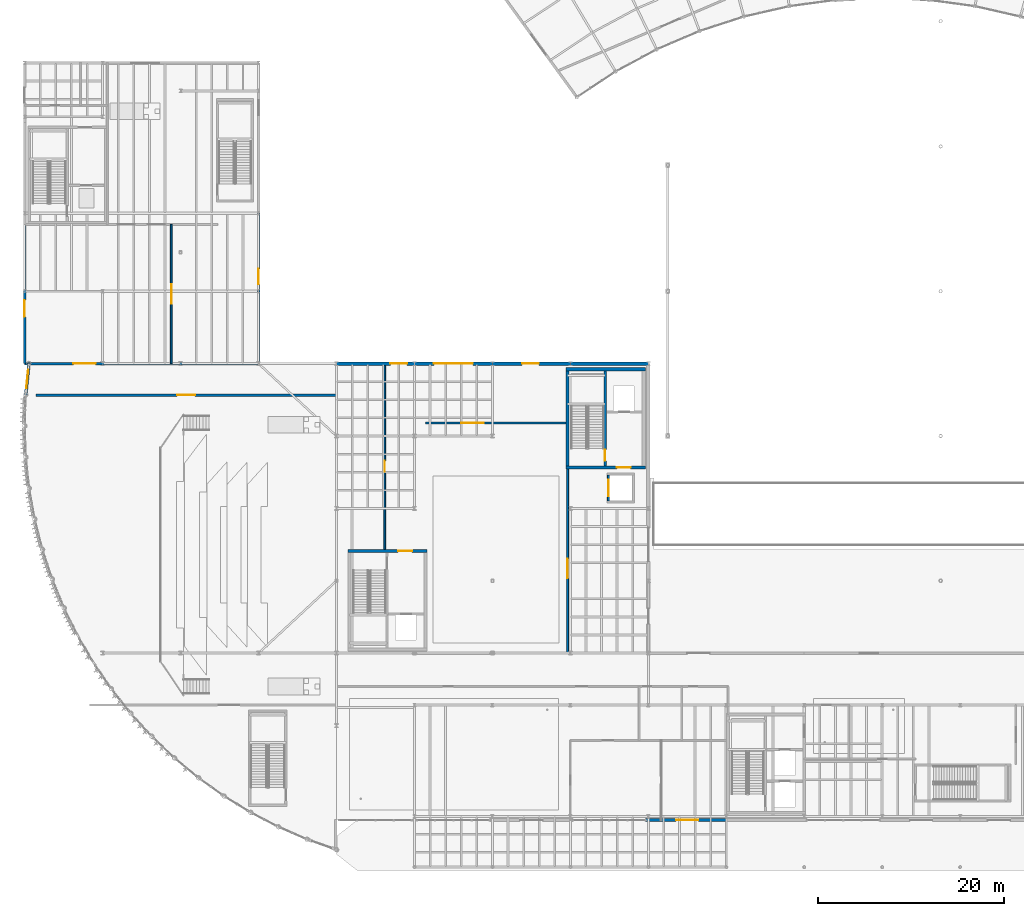
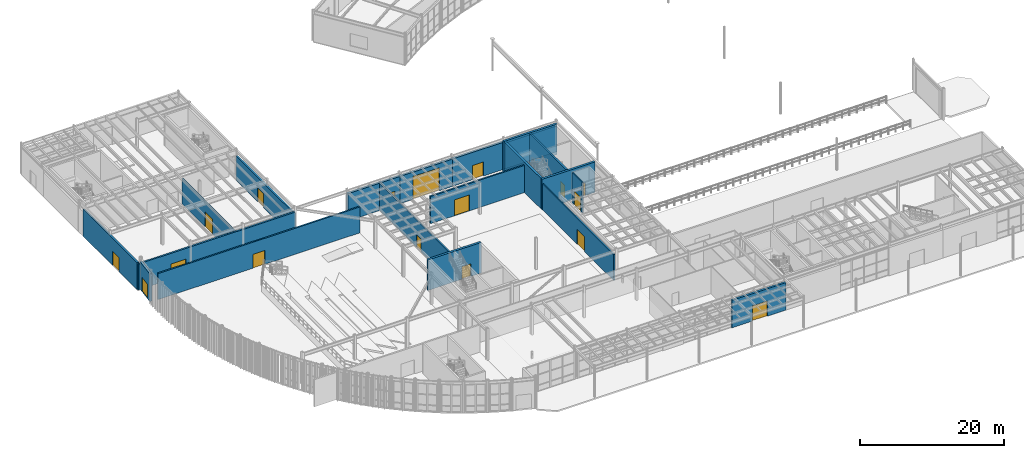
# One storey, part 64 of 87: 20 walls, 17 doors, 17 openings.
"""IFC4 building model written with IfcOpenShell, lengths in metres."""

from ifc_helpers import new_model, si_unit, direction, frame, frame_2d, origin, place, context, subcontext, project, spatial, rectangle, extrude, material, layer, layer_set, type_object, element, fill, save


model = new_model("IFC4")

# Units and contexts
model_context = context("Model", 3, precision=1e-05, world=origin(), true_north=direction((0.0, 1.0)))
body_context = subcontext(model_context, "Body", "Model", "MODEL_VIEW")
ifc_project = project(units=[si_unit("LENGTHUNIT", "METRE"), si_unit("AREAUNIT", "SQUARE_METRE"), si_unit("VOLUMEUNIT", "CUBIC_METRE"), si_unit("PLANEANGLEUNIT", "RADIAN"), si_unit("MASSUNIT", "GRAM", prefix="KILO")], contexts=[model_context])

# Site, building, storey
site_placement = place(None, origin())
site = spatial("IfcSite", under=ifc_project, at=site_placement, CompositionType="ELEMENT")
building_placement = place(site_placement, origin())
building = spatial("IfcBuilding", under=site, at=building_placement, Name="Selat Folded Stagehouse", CompositionType="ELEMENT")
storey_placement = place(building_placement, origin())
storey = spatial("IfcBuildingStorey", under=building, at=storey_placement, Name="L00", CompositionType="ELEMENT", Elevation=0.0)

# Wall, opening, door
ifc_material_1 = material(Name="Double-stud acoustic gypsum and mineral wool", Category="gypsum")
ifc_layer_1 = layer(ifc_material_1, 0.239990234375)
ifc_layer_set_1 = layer_set([ifc_layer_1], Name="Double-stud acoustic gypsum and mineral wool")
wall_type_1 = type_object("IfcWallType", Name="WAL-ACOU-240", PredefinedType="PARTITIONING", material=ifc_layer_set_1)
wall_1_placement = place(storey_placement, frame((1.199951171875, 51.199951171875, 0.0), z_axis=(0.0, 0.0, 1.0), x_axis=(1.0, 0.0, 0.0)))
wall_1 = element("IfcWall", 1, at=wall_1_placement, inside=storey, type_object=wall_type_1, Name="L00 interior partition wall 014", PredefinedType="PARTITIONING", context=body_context, shape_type="SweptSolid", body=[
    extrude(rectangle(XDim=32.400146484375, YDim=0.239990234375, at=frame_2d((16.2001953125, 0.0))), origin(), (0.0, 0.0, 1.0), 4.412109375),
])
opening_1_placement = place(wall_1_placement, frame((15.22509765625, 0.0, 0.0)))
opening_1 = element("IfcOpeningElement", 2, at=opening_1_placement, cuts=wall_1, Name="Opening AD-02", PredefinedType="OPENING", context=body_context, shape_type="SweptSolid", body=[
    extrude(rectangle(XDim=1.949951171875, YDim=2.35009765625, at=frame_2d((0.97509765625, 1.175048828125))), frame((0.0, 0.1298828125, 0.0), z_axis=(0.0, -1.0, 0.0), x_axis=(1.0, 0.0, 0.0)), (0.0, 0.0, 1.0), 0.260009765625),
])
ifc_material_2 = material(Name="Circle auditorium acoustic double door", Category="wood")
door_type_1 = type_object("IfcDoorType", Name="DOR-AUD-1950", OperationType="NOTDEFINED", PredefinedType="DOOR", material=ifc_material_2)
door_1_placement = place(opening_1_placement, origin())
door_1 = element("IfcDoor", 3, at=door_1_placement, inside=storey, type_object=door_type_1, Name="L00 interior door IWAL-L00-014-1", OperationType="SINGLE_SWING_RIGHT", OverallHeight=2.35009765625, OverallWidth=1.949951171875, PredefinedType="DOOR", context=body_context, shape_type="SweptSolid", body=[
    extrude(rectangle(XDim=1.949951171875, YDim=2.35009765625, at=frame_2d((0.97509765625, 1.175048828125))), frame((0.0, 0.02490234375, 0.0), z_axis=(0.0, -1.0, 0.0), x_axis=(1.0, 0.0, 0.0)), (0.0, 0.0, 1.0), 0.050048828125),
])
fill(opening_1, door_1)

wall_2_placement = place(storey_placement, frame((43.199951171875, 48.199951171875, 0.0), z_axis=(0.0, 0.0, 1.0), x_axis=(1.0, 0.0, 0.0)))
wall_2 = element("IfcWall", 4, at=wall_2_placement, inside=storey, type_object=wall_type_1, Name="L00 interior partition wall 015", PredefinedType="PARTITIONING", context=body_context, shape_type="SweptSolid", body=[
    extrude(rectangle(XDim=15.300048828125, YDim=0.239990234375, at=frame_2d((7.64990234375, 0.0))), origin(), (0.0, 0.0, 1.0), 4.63232421875),
])
opening_2_placement = place(wall_2_placement, frame((3.8701171875, 0.0, 0.0)))
opening_2 = element("IfcOpeningElement", 5, at=opening_2_placement, cuts=wall_2, Name="Opening SD-01", PredefinedType="OPENING", context=body_context, shape_type="SweptSolid", body=[
    extrude(rectangle(XDim=2.39990234375, YDim=2.699951171875, at=frame_2d((1.199951171875, 1.35009765625))), frame((0.0, 0.1298828125, 0.0), z_axis=(0.0, -1.0, 0.0), x_axis=(1.0, 0.0, 0.0)), (0.0, 0.0, 1.0), 0.260009765625),
])
ifc_material_3 = material(Name="Stage crossover heavy acoustic double door", Category="wood")
door_type_2 = type_object("IfcDoorType", Name="DOR-STG-2400", OperationType="NOTDEFINED", PredefinedType="DOOR", material=ifc_material_3)
door_2_placement = place(opening_2_placement, origin())
door_2 = element("IfcDoor", 6, at=door_2_placement, inside=storey, type_object=door_type_2, Name="L00 interior door IWAL-L00-015-1", OperationType="SINGLE_SWING_LEFT", OverallHeight=2.699951171875, OverallWidth=2.39990234375, PredefinedType="DOOR", context=body_context, shape_type="SweptSolid", body=[
    extrude(rectangle(XDim=2.39990234375, YDim=2.699951171875, at=frame_2d((1.199951171875, 1.35009765625))), frame((0.0, 0.02490234375, 0.0), z_axis=(0.0, -1.0, 0.0), x_axis=(1.0, 0.0, 0.0)), (0.0, 0.0, 1.0), 0.050048828125),
])
fill(opening_2, door_2)

ifc_material_4 = material(Name="Concrete C40/50", Category="concrete")
ifc_layer_2 = layer(ifc_material_4, 0.179931640625)
ifc_layer_set_2 = layer_set([ifc_layer_2], Name="Concrete C40/50")
wall_type_2 = type_object("IfcWallType", Name="WAL-COMP-180", PredefinedType="STANDARD", material=ifc_layer_set_2)
wall_3_placement = place(storey_placement, frame((15.800048828125, 54.60009765625, 0.0), z_axis=(0.0, 0.0, 1.0), x_axis=(0.0, 1.0, 0.0)))
wall_3 = element("IfcWall", 7, at=wall_3_placement, inside=storey, type_object=wall_type_2, Name="L00 interior partition wall 033", PredefinedType="STANDARD", context=body_context, shape_type="SweptSolid", body=[
    extrude(rectangle(XDim=15.0, YDim=0.179931640625, at=frame_2d((7.5, 0.0))), origin(), (0.0, 0.0, 1.0), 4.311279296875),
])
opening_3_placement = place(wall_3_placement, frame((6.449951171875, 0.0, 0.0)))
opening_3 = element("IfcOpeningElement", 8, at=opening_3_placement, cuts=wall_3, Name="Opening WD-01", PredefinedType="OPENING", context=body_context, shape_type="SweptSolid", body=[
    extrude(rectangle(XDim=2.10009765625, YDim=2.5, at=frame_2d((1.050048828125, 1.25))), frame((0.0, 0.099853515625, 0.0), z_axis=(0.0, -1.0, 0.0), x_axis=(1.0, 0.0, 0.0)), (0.0, 0.0, 1.0), 0.199951171875),
])
ifc_material_5 = material(Name="Scenery workshop double leaf door", Category="wood")
door_type_3 = type_object("IfcDoorType", Name="DOR-WK-2100", OperationType="NOTDEFINED", PredefinedType="DOOR", material=ifc_material_5)
door_3_placement = place(opening_3_placement, origin())
door_3 = element("IfcDoor", 9, at=door_3_placement, inside=storey, type_object=door_type_3, Name="L00 interior door IWAL-L00-033-1", OperationType="SINGLE_SWING_RIGHT", OverallHeight=2.5, OverallWidth=2.10009765625, PredefinedType="DOOR", context=body_context, shape_type="SweptSolid", body=[
    extrude(rectangle(XDim=2.10009765625, YDim=2.5, at=frame_2d((1.050048828125, 1.25))), frame((0.0, 0.02490234375, 0.0), z_axis=(0.0, -1.0, 0.0), x_axis=(1.0, 0.0, 0.0)), (0.0, 0.0, 1.0), 0.050048828125),
])
fill(opening_3, door_3)

ifc_layer_3 = layer(ifc_material_4, 0.215087890625)
ifc_layer_set_3 = layer_set([ifc_layer_3], Name="Concrete C40/50")
wall_type_3 = type_object("IfcWallType", Name="WAL-COMP-215", PredefinedType="STANDARD", material=ifc_layer_set_3)
wall_4_placement = place(storey_placement, frame((62.89990234375, 39.8076171875, 0.0), z_axis=(0.0, 0.0, 1.0), x_axis=(0.0, 1.0, 0.0)))
wall_4 = element("IfcWall", 10, at=wall_4_placement, inside=storey, type_object=wall_type_3, Name="L00 GL-01 west front wall", PredefinedType="STANDARD", context=body_context, shape_type="SweptSolid", body=[
    extrude(rectangle(XDim=2.784912109375, YDim=0.215087890625, at=frame_2d((1.392578125, 0.0))), origin(), (0.0, 0.0, 1.0), 5.172119140625),
])
opening_4_placement = place(wall_4_placement, frame((0.492431640625, 0.0, 0.0)))
opening_4 = element("IfcOpeningElement", 11, at=opening_4_placement, cuts=wall_4, Name="Opening LD-02", PredefinedType="OPENING", context=body_context, shape_type="SweptSolid", body=[
    extrude(rectangle(XDim=1.800048828125, YDim=2.39990234375, at=frame_2d((0.89990234375, 1.199951171875))), frame((0.0, 0.117431640625, 0.0), z_axis=(0.0, -1.0, 0.0), x_axis=(1.0, 0.0, 0.0)), (0.0, 0.0, 1.0), 0.235107421875),
])
ifc_material_6 = material(Name="Goods lift heavy sliding landing door", Category="wood")
door_type_4 = type_object("IfcDoorType", Name="DOR-LFT-1800", OperationType="NOTDEFINED", PredefinedType="DOOR", material=ifc_material_6)
door_4_placement = place(opening_4_placement, origin())
door_4 = element("IfcDoor", 12, at=door_4_placement, inside=storey, type_object=door_type_4, Name="L00 GL-01 lift sliding landing door", OperationType="SLIDING_TO_RIGHT", OverallHeight=2.39990234375, OverallWidth=1.800048828125, PredefinedType="DOOR", context=body_context, shape_type="SweptSolid", body=[
    extrude(rectangle(XDim=1.800048828125, YDim=2.39990234375, at=frame_2d((0.89990234375, 1.199951171875))), frame((0.0, 0.02490234375, 0.0), z_axis=(0.0, -1.0, 0.0), x_axis=(1.0, 0.0, 0.0)), (0.0, 0.0, 1.0), 0.050048828125),
])
fill(opening_4, door_4)

wall_5_placement = place(storey_placement, frame((38.800048828125, 34.39990234375, 0.0), z_axis=(0.0, 0.0, 1.0), x_axis=(0.0, 1.0, 0.0)))
wall_5 = element("IfcWall", 13, at=wall_5_placement, inside=storey, type_object=wall_type_3, Name="L00 interior partition wall 016", PredefinedType="STANDARD", context=body_context, shape_type="SweptSolid", body=[
    extrude(rectangle(XDim=20.2001953125, YDim=0.215087890625, at=frame_2d((10.10009765625, 0.0))), origin(), (0.0, 0.0, 1.0), 4.638916015625),
])
opening_5_placement = place(wall_5_placement, frame((8.550048828125, 0.0, 0.0)))
opening_5 = element("IfcOpeningElement", 14, at=opening_5_placement, cuts=wall_5, Name="Opening FD-120", PredefinedType="OPENING", context=body_context, shape_type="SweptSolid", body=[
    extrude(rectangle(XDim=1.199951171875, YDim=2.14990234375, at=frame_2d((0.60009765625, 1.074951171875))), frame((0.0, 0.117431640625, 0.0), z_axis=(0.0, -1.0, 0.0), x_axis=(1.0, 0.0, 0.0)), (0.0, 0.0, 1.0), 0.235107421875),
])
ifc_material_7 = material(Name="Fire-rated steel acoustic door", Category="steel")
door_type_5 = type_object("IfcDoorType", Name="DOR-FIRE-120", OperationType="NOTDEFINED", PredefinedType="DOOR", material=ifc_material_7)
door_5_placement = place(opening_5_placement, origin())
door_5 = element("IfcDoor", 15, at=door_5_placement, inside=storey, type_object=door_type_5, Name="L00 interior door IWAL-L00-016-1", OperationType="SINGLE_SWING_RIGHT", OverallHeight=2.14990234375, OverallWidth=1.199951171875, PredefinedType="DOOR", context=body_context, shape_type="SweptSolid", body=[
    extrude(rectangle(XDim=1.199951171875, YDim=2.14990234375, at=frame_2d((0.60009765625, 1.074951171875))), frame((0.0, 0.02490234375, 0.0), z_axis=(0.0, -1.0, 0.0), x_axis=(1.0, 0.0, 0.0)), (0.0, 0.0, 1.0), 0.050048828125),
])
fill(opening_5, door_5)

wall_6_placement = place(storey_placement, frame((58.5, 23.39990234375, 0.0), z_axis=(0.0, 0.0, 1.0), x_axis=(0.0, 1.0, 0.0)))
wall_6 = element("IfcWall", 16, at=wall_6_placement, inside=storey, type_object=wall_type_3, Name="L00 interior partition wall 017", PredefinedType="STANDARD", context=body_context, shape_type="SweptSolid", body=[
    extrude(rectangle(XDim=20.0, YDim=0.215087890625, at=frame_2d((10.0, 0.0))), origin(), (0.0, 0.0, 1.0), 4.402099609375),
])
opening_6_placement = place(wall_6_placement, frame((8.054931640625, 0.0, 0.0)))
opening_6 = element("IfcOpeningElement", 17, at=opening_6_placement, cuts=wall_6, Name="Opening WD-01", PredefinedType="OPENING", context=body_context, shape_type="SweptSolid", body=[
    extrude(rectangle(XDim=2.10009765625, YDim=2.5, at=frame_2d((1.050048828125, 1.25))), frame((0.0, 0.117431640625, 0.0), z_axis=(0.0, -1.0, 0.0), x_axis=(1.0, 0.0, 0.0)), (0.0, 0.0, 1.0), 0.235107421875),
])
door_6_placement = place(opening_6_placement, origin())
door_6 = element("IfcDoor", 18, at=door_6_placement, inside=storey, type_object=door_type_3, Name="L00 interior door IWAL-L00-017-1", OperationType="SINGLE_SWING_LEFT", OverallHeight=2.5, OverallWidth=2.10009765625, PredefinedType="DOOR", context=body_context, shape_type="SweptSolid", body=[
    extrude(rectangle(XDim=2.10009765625, YDim=2.5, at=frame_2d((1.050048828125, 1.25))), frame((0.0, 0.02490234375, 0.0), z_axis=(0.0, -1.0, 0.0), x_axis=(1.0, 0.0, 0.0)), (0.0, 0.0, 1.0), 0.050048828125),
])
fill(opening_6, door_6)

ifc_material_8 = material(Name="Concrete C50/60", Category="concrete")
ifc_layer_4 = layer(ifc_material_8, 0.25)
ifc_layer_set_4 = layer_set([ifc_layer_4], Name="Concrete C50/60")
wall_type_4 = type_object("IfcWallType", Name="WAL-CORE-250", PredefinedType="SHEAR", material=ifc_layer_set_4)
wall_7_placement = place(storey_placement, frame((62.550048828125, 53.824951171875, 0.0), z_axis=(0.0, 0.0, 1.0), x_axis=(0.0, -1.0, 0.0)))
wall_7 = element("IfcWall", 19, at=wall_7_placement, inside=storey, type_object=wall_type_4, Name="L00 CR-2 internal core divider wall", PredefinedType="SHEAR", context=body_context, shape_type="SweptSolid", body=[
    extrude(rectangle(XDim=10.25, YDim=0.25, at=frame_2d((5.125, 0.0))), origin(), (0.0, 0.0, 1.0), 5.179931640625),
])
opening_7_placement = place(wall_7_placement, frame((8.5, 0.0, 0.0)))
opening_7 = element("IfcOpeningElement", 20, at=opening_7_placement, cuts=wall_7, Name="Opening FD-120", PredefinedType="OPENING", context=body_context, shape_type="SweptSolid", body=[
    extrude(rectangle(XDim=1.199951171875, YDim=2.14990234375, at=frame_2d((0.60009765625, 1.074951171875))), frame((0.0, 0.135009765625, 0.0), z_axis=(0.0, -1.0, 0.0), x_axis=(1.0, 0.0, 0.0)), (0.0, 0.0, 1.0), 0.27001953125),
])
door_7_placement = place(opening_7_placement, origin())
door_7 = element("IfcDoor", 21, at=door_7_placement, inside=storey, type_object=door_type_5, Name="L00 CR-2 protected stair fire door", OperationType="SINGLE_SWING_LEFT", OverallHeight=2.14990234375, OverallWidth=1.199951171875, PredefinedType="DOOR", context=body_context, shape_type="SweptSolid", body=[
    extrude(rectangle(XDim=1.199951171875, YDim=2.14990234375, at=frame_2d((0.60009765625, 1.074951171875))), frame((0.0, 0.02490234375, 0.0), z_axis=(0.0, -1.0, 0.0), x_axis=(1.0, 0.0, 0.0)), (0.0, 0.0, 1.0), 0.050048828125),
])
fill(opening_7, door_7)

ifc_material_9 = material(Name="Precast concrete C40/50", Category="concrete")
ifc_layer_5 = layer(ifc_material_9, 0.27490234375)
ifc_layer_set_5 = layer_set([ifc_layer_5], Name="Precast concrete C40/50")
wall_type_5 = type_object("IfcWallType", Name="WAL-EXT-275", PredefinedType="STANDARD", material=ifc_layer_set_5)
wall_8_placement = place(storey_placement, frame((25.199951171875, 54.60009765625, 0.0), z_axis=(0.0, 0.0, 1.0), x_axis=(-1.0, 0.0, 0.0)))
wall_8 = element("IfcWall", 22, at=wall_8_placement, inside=storey, type_object=wall_type_5, Name="L00 exterior facade wall EW-L00-V4S", PredefinedType="STANDARD", context=body_context, shape_type="SweptSolid", body=[
    extrude(rectangle(XDim=25.199951171875, YDim=0.27490234375, at=frame_2d((12.60009765625, 0.0))), origin(), (0.0, 0.0, 1.0), 4.412109375),
])
opening_8_placement = place(wall_8_placement, frame((17.550048828125, 0.0, 0.0)))
opening_8 = element("IfcOpeningElement", 23, at=opening_8_placement, cuts=wall_8, Name="Opening ED-01", PredefinedType="OPENING", context=body_context, shape_type="SweptSolid", body=[
    extrude(rectangle(XDim=2.39990234375, YDim=2.60009765625, at=frame_2d((1.199951171875, 1.300048828125))), frame((0.0, 0.1474609375, 0.0), z_axis=(0.0, -1.0, 0.0), x_axis=(1.0, 0.0, 0.0)), (0.0, 0.0, 1.0), 0.294921875),
])
ifc_material_10 = material(Name="Powder-coated steel and laminated safety glass", Category="steel")
door_type_6 = type_object("IfcDoorType", Name="DOR-EXT-2400x2600", OperationType="NOTDEFINED", PredefinedType="DOOR", material=ifc_material_10)
door_8_placement = place(opening_8_placement, origin())
door_8 = element("IfcDoor", 24, at=door_8_placement, inside=storey, type_object=door_type_6, Name="L00 exterior door EW-L00-V4S-1", OperationType="DOUBLE_SWING_LEFT", OverallHeight=2.60009765625, OverallWidth=2.39990234375, PredefinedType="DOOR", context=body_context, shape_type="SweptSolid", body=[
    extrude(rectangle(XDim=2.39990234375, YDim=2.60009765625, at=frame_2d((1.199951171875, 1.300048828125))), frame((0.0, 0.02490234375, 0.0), z_axis=(0.0, -1.0, 0.0), x_axis=(1.0, 0.0, 0.0)), (0.0, 0.0, 1.0), 0.050048828125),
])
fill(opening_8, door_8)

wall_9_placement = place(storey_placement, frame((0.0, 54.60009765625, 0.0), z_axis=(0.0, 0.0, 1.0), x_axis=(0.0, 1.0, 0.0)))
wall_9 = element("IfcWall", 25, at=wall_9_placement, inside=storey, type_object=wall_type_5, Name="L00 exterior facade wall EW-L00-V4W-1", PredefinedType="STANDARD", context=body_context, shape_type="SweptSolid", body=[
    extrude(rectangle(XDim=15.0, YDim=0.27490234375, at=frame_2d((7.5, 0.0))), origin(), (0.0, 0.0, 1.0), 4.622314453125),
])
opening_9_placement = place(wall_9_placement, frame((5.050048828125, 0.0, 0.0)))
opening_9 = element("IfcOpeningElement", 26, at=opening_9_placement, cuts=wall_9, Name="Opening ED-04", PredefinedType="OPENING", context=body_context, shape_type="SweptSolid", body=[
    extrude(rectangle(XDim=1.800048828125, YDim=2.39990234375, at=frame_2d((0.89990234375, 1.199951171875))), frame((0.0, 0.1474609375, 0.0), z_axis=(0.0, -1.0, 0.0), x_axis=(1.0, 0.0, 0.0)), (0.0, 0.0, 1.0), 0.294921875),
])
door_type_7 = type_object("IfcDoorType", Name="DOR-EXT-1800x2400", OperationType="NOTDEFINED", PredefinedType="DOOR", material=ifc_material_10)
door_9_placement = place(opening_9_placement, origin())
door_9 = element("IfcDoor", 27, at=door_9_placement, inside=storey, type_object=door_type_7, Name="L00 exterior door EW-L00-V4W-1-1", OperationType="SINGLE_SWING_LEFT", OverallHeight=2.39990234375, OverallWidth=1.800048828125, PredefinedType="DOOR", context=body_context, shape_type="SweptSolid", body=[
    extrude(rectangle(XDim=1.800048828125, YDim=2.39990234375, at=frame_2d((0.89990234375, 1.199951171875))), frame((0.0, 0.02490234375, 0.0), z_axis=(0.0, -1.0, 0.0), x_axis=(1.0, 0.0, 0.0)), (0.0, 0.0, 1.0), 0.050048828125),
])
fill(opening_9, door_9)

wall_10_placement = place(storey_placement, frame((25.199951171875, 70.800048828125, 0.0), z_axis=(0.0, 0.0, 1.0), x_axis=(0.0, -1.0, 0.0)))
wall_10 = element("IfcWall", 28, at=wall_10_placement, inside=storey, type_object=wall_type_5, Name="L00 exterior facade wall EW-L00-V4E-2", PredefinedType="STANDARD", context=body_context, shape_type="SweptSolid", body=[
    extrude(rectangle(XDim=16.199951171875, YDim=0.27490234375, at=frame_2d((8.10009765625, 0.0))), origin(), (0.0, 0.0, 1.0), 4.15380859375),
])
opening_10_placement = place(wall_10_placement, frame((6.0, 0.0, 0.0)))
opening_10 = element("IfcOpeningElement", 29, at=opening_10_placement, cuts=wall_10, Name="Opening ED-05", PredefinedType="OPENING", context=body_context, shape_type="SweptSolid", body=[
    extrude(rectangle(XDim=1.64990234375, YDim=2.35009765625, at=frame_2d((0.824951171875, 1.175048828125))), frame((0.0, 0.1474609375, 0.0), z_axis=(0.0, -1.0, 0.0), x_axis=(1.0, 0.0, 0.0)), (0.0, 0.0, 1.0), 0.294921875),
])
door_type_8 = type_object("IfcDoorType", Name="DOR-EXT-1650x2350", OperationType="NOTDEFINED", PredefinedType="DOOR", material=ifc_material_10)
door_10_placement = place(opening_10_placement, origin())
door_10 = element("IfcDoor", 30, at=door_10_placement, inside=storey, type_object=door_type_8, Name="L00 exterior door EW-L00-V4E-2-1", OperationType="SINGLE_SWING_RIGHT", OverallHeight=2.35009765625, OverallWidth=1.64990234375, PredefinedType="DOOR", context=body_context, shape_type="SweptSolid", body=[
    extrude(rectangle(XDim=1.64990234375, YDim=2.35009765625, at=frame_2d((0.824951171875, 1.175048828125))), frame((0.0, 0.02490234375, 0.0), z_axis=(0.0, -1.0, 0.0), x_axis=(1.0, 0.0, 0.0)), (0.0, 0.0, 1.0), 0.050048828125),
])
fill(opening_10, door_10)

ifc_layer_6 = layer(ifc_material_9, 0.324951171875)
ifc_layer_set_6 = layer_set([ifc_layer_6], Name="Precast concrete C40/50")
wall_type_6 = type_object("IfcWallType", Name="WAL-EXT-325", PredefinedType="STANDARD", material=ifc_layer_set_6)
wall_11_placement = place(storey_placement, frame((0.110107421875, 51.248779296875, 0.0), z_axis=(0.0, 0.0, 1.0), x_axis=(0.102609885069, 0.994721675388, 0.0)))
wall_11 = element("IfcWall", 31, at=wall_11_placement, inside=storey, type_object=wall_type_6, Name="L00 exterior facade wall EW-L00-DRM-N", PredefinedType="STANDARD", context=body_context, shape_type="SweptSolid", body=[
    extrude(rectangle(XDim=3.369140625, YDim=0.324951171875, at=frame_2d((1.6845703125, 0.0))), origin(), (0.0, 0.0, 1.0), 4.69189453125),
])
opening_11_placement = place(wall_11_placement, frame((0.679931640625, 0.0, 0.0)))
opening_11 = element("IfcOpeningElement", 32, at=opening_11_placement, cuts=wall_11, Name="Opening ED-03", PredefinedType="OPENING", context=body_context, shape_type="SweptSolid", body=[
    extrude(rectangle(XDim=2.0, YDim=2.449951171875, at=frame_2d((1.0, 1.22509765625))), frame((0.0, 0.17236328125, 0.0), z_axis=(0.0, -1.0, 0.0), x_axis=(1.0, 0.0, 0.0)), (0.0, 0.0, 1.0), 0.344970703125),
])
door_type_9 = type_object("IfcDoorType", Name="DOR-EXT-2000x2450", OperationType="NOTDEFINED", PredefinedType="DOOR", material=ifc_material_10)
door_11_placement = place(opening_11_placement, origin())
door_11 = element("IfcDoor", 33, at=door_11_placement, inside=storey, type_object=door_type_9, Name="L00 exterior door EW-L00-DRM-N-1", OperationType="DOUBLE_SWING_LEFT", OverallHeight=2.449951171875, OverallWidth=2.0, PredefinedType="DOOR", context=body_context, shape_type="SweptSolid", body=[
    extrude(rectangle(XDim=2.0, YDim=2.449951171875, at=frame_2d((1.0, 1.22509765625))), frame((0.0, 0.02490234375, 0.0), z_axis=(0.0, -1.0, 0.0), x_axis=(1.0, 0.0, 0.0)), (0.0, 0.0, 1.0), 0.050048828125),
])
fill(opening_11, door_11)

wall_12_placement = place(storey_placement, frame((75.60009765625, 5.39990234375, 0.0), z_axis=(0.0, 0.0, 1.0), x_axis=(-1.0, 0.0, 0.0)))
wall_12 = element("IfcWall", 34, at=wall_12_placement, inside=storey, type_object=wall_type_6, Name="L00 exterior facade wall EW-L00-FYR-P1B", PredefinedType="STANDARD", context=body_context, shape_type="SweptSolid", body=[
    extrude(rectangle(XDim=8.7001953125, YDim=0.324951171875, at=frame_2d((4.35009765625, 0.0))), origin(), (0.0, 0.0, 1.0), 4.662353515625),
])
opening_12_placement = place(wall_12_placement, frame((3.0, 0.0, 0.0)))
opening_12 = element("IfcOpeningElement", 35, at=opening_12_placement, cuts=wall_12, Name="Opening ED-01", PredefinedType="OPENING", context=body_context, shape_type="SweptSolid", body=[
    extrude(rectangle(XDim=2.39990234375, YDim=2.60009765625, at=frame_2d((1.199951171875, 1.300048828125))), frame((0.0, 0.17236328125, 0.0), z_axis=(0.0, -1.0, 0.0), x_axis=(1.0, 0.0, 0.0)), (0.0, 0.0, 1.0), 0.344970703125),
])
door_12_placement = place(opening_12_placement, origin())
door_12 = element("IfcDoor", 36, at=door_12_placement, inside=storey, type_object=door_type_6, Name="L00 exterior door EW-L00-FYR-P1B-1", OperationType="DOUBLE_SWING_RIGHT", OverallHeight=2.60009765625, OverallWidth=2.39990234375, PredefinedType="DOOR", context=body_context, shape_type="SweptSolid", body=[
    extrude(rectangle(XDim=2.39990234375, YDim=2.60009765625, at=frame_2d((1.199951171875, 1.300048828125))), frame((0.0, 0.02490234375, 0.0), z_axis=(0.0, -1.0, 0.0), x_axis=(1.0, 0.0, 0.0)), (0.0, 0.0, 1.0), 0.050048828125),
])
fill(opening_12, door_12)

ifc_layer_7 = layer(ifc_material_9, 0.3798828125)
ifc_layer_set_7 = layer_set([ifc_layer_7], Name="Precast concrete C40/50")
wall_type_7 = type_object("IfcWallType", Name="WAL-EXT-380", PredefinedType="STANDARD", material=ifc_layer_set_7)
wall_13_placement = place(storey_placement, frame((33.60009765625, 54.60009765625, 0.0), z_axis=(0.0, 0.0, 1.0), x_axis=(1.0, 0.0, 0.0)))
wall_13 = element("IfcWall", 37, at=wall_13_placement, inside=storey, type_object=wall_type_7, Name="L00 exterior facade wall EW-L00-V2N-33", PredefinedType="STANDARD", context=body_context, shape_type="SweptSolid", body=[
    extrude(rectangle(XDim=8.39990234375, YDim=0.3798828125, at=frame_2d((4.199951171875, 0.0))), origin(), (0.0, 0.0, 1.0), 4.63232421875),
])
opening_13_placement = place(wall_13_placement, frame((5.800048828125, 0.0, 0.0)))
opening_13 = element("IfcOpeningElement", 38, at=opening_13_placement, cuts=wall_13, Name="Opening ED-04", PredefinedType="OPENING", context=body_context, shape_type="SweptSolid", body=[
    extrude(rectangle(XDim=1.800048828125, YDim=2.39990234375, at=frame_2d((0.89990234375, 1.199951171875))), frame((0.0, 0.199951171875, 0.0), z_axis=(0.0, -1.0, 0.0), x_axis=(1.0, 0.0, 0.0)), (0.0, 0.0, 1.0), 0.39990234375),
])
door_13_placement = place(opening_13_placement, origin())
door_13 = element("IfcDoor", 39, at=door_13_placement, inside=storey, type_object=door_type_7, Name="L00 exterior door EW-L00-V2N-33-1", OperationType="SINGLE_SWING_LEFT", OverallHeight=2.39990234375, OverallWidth=1.800048828125, PredefinedType="DOOR", context=body_context, shape_type="SweptSolid", body=[
    extrude(rectangle(XDim=1.800048828125, YDim=2.39990234375, at=frame_2d((0.89990234375, 1.199951171875))), frame((0.0, 0.02490234375, 0.0), z_axis=(0.0, -1.0, 0.0), x_axis=(1.0, 0.0, 0.0)), (0.0, 0.0, 1.0), 0.050048828125),
])
fill(opening_13, door_13)

wall_14_placement = place(storey_placement, frame((42.0, 54.60009765625, 0.0), z_axis=(0.0, 0.0, 1.0), x_axis=(1.0, 0.0, 0.0)))
wall_14 = element("IfcWall", 40, at=wall_14_placement, inside=storey, type_object=wall_type_7, Name="L00 exterior facade wall EW-L00-V2N-42", PredefinedType="STANDARD", context=body_context, shape_type="SweptSolid", body=[
    extrude(rectangle(XDim=8.39990234375, YDim=0.3798828125, at=frame_2d((4.199951171875, 0.0))), origin(), (0.0, 0.0, 1.0), 4.63232421875),
])
opening_14_placement = place(wall_14_placement, frame((2.10009765625, 0.0, 0.0)))
opening_14 = element("IfcOpeningElement", 41, at=opening_14_placement, cuts=wall_14, Name="Opening RS-02", PredefinedType="OPENING", context=body_context, shape_type="SweptSolid", body=[
    extrude(rectangle(XDim=4.199951171875, YDim=3.89990234375, at=frame_2d((2.10009765625, 1.949951171875))), frame((0.0, 0.199951171875, 0.0), z_axis=(0.0, -1.0, 0.0), x_axis=(1.0, 0.0, 0.0)), (0.0, 0.0, 1.0), 0.39990234375),
])
ifc_material_11 = material(Name="Galvanised acoustic steel", Category="steel")
door_type_10 = type_object("IfcDoorType", Name="GAT-SCN-4200x3900", OperationType="NOTDEFINED", PredefinedType="GATE", material=ifc_material_11)
door_14_placement = place(opening_14_placement, origin())
door_14 = element("IfcDoor", 42, at=door_14_placement, inside=storey, type_object=door_type_10, Name="L00 exterior door EW-L00-V2N-42-1", OperationType="ROLLINGUP", OverallHeight=3.89990234375, OverallWidth=4.199951171875, PredefinedType="GATE", context=body_context, shape_type="SweptSolid", body=[
    extrude(rectangle(XDim=4.199951171875, YDim=3.89990234375, at=frame_2d((2.10009765625, 1.949951171875))), frame((0.0, 0.02490234375, 0.0), z_axis=(0.0, -1.0, 0.0), x_axis=(1.0, 0.0, 0.0)), (0.0, 0.0, 1.0), 0.050048828125),
])
fill(opening_14, door_14)

wall_15_placement = place(storey_placement, frame((50.39990234375, 54.60009765625, 0.0), z_axis=(0.0, 0.0, 1.0), x_axis=(1.0, 0.0, 0.0)))
wall_15 = element("IfcWall", 43, at=wall_15_placement, inside=storey, type_object=wall_type_7, Name="L00 exterior facade wall EW-L00-V2N-50", PredefinedType="STANDARD", context=body_context, shape_type="SweptSolid", body=[
    extrude(rectangle(XDim=8.400146484375, YDim=0.3798828125, at=frame_2d((4.2001953125, 0.0))), origin(), (0.0, 0.0, 1.0), 4.63232421875),
])
opening_15_placement = place(wall_15_placement, frame((3.199951171875, 0.0, 0.0)))
opening_15 = element("IfcOpeningElement", 44, at=opening_15_placement, cuts=wall_15, Name="Opening ED-04", PredefinedType="OPENING", context=body_context, shape_type="SweptSolid", body=[
    extrude(rectangle(XDim=1.800048828125, YDim=2.39990234375, at=frame_2d((0.89990234375, 1.199951171875))), frame((0.0, 0.199951171875, 0.0), z_axis=(0.0, -1.0, 0.0), x_axis=(1.0, 0.0, 0.0)), (0.0, 0.0, 1.0), 0.39990234375),
])
door_15_placement = place(opening_15_placement, origin())
door_15 = element("IfcDoor", 45, at=door_15_placement, inside=storey, type_object=door_type_7, Name="L00 exterior door EW-L00-V2N-50-1", OperationType="SINGLE_SWING_LEFT", OverallHeight=2.39990234375, OverallWidth=1.800048828125, PredefinedType="DOOR", context=body_context, shape_type="SweptSolid", body=[
    extrude(rectangle(XDim=1.800048828125, YDim=2.39990234375, at=frame_2d((0.89990234375, 1.199951171875))), frame((0.0, 0.02490234375, 0.0), z_axis=(0.0, -1.0, 0.0), x_axis=(1.0, 0.0, 0.0)), (0.0, 0.0, 1.0), 0.050048828125),
])
fill(opening_15, door_15)

# Wall
wall_16_placement = place(storey_placement, frame((58.800048828125, 54.60009765625, 0.0), z_axis=(0.0, 0.0, 1.0), x_axis=(1.0, 0.0, 0.0)))
element("IfcWall", 46, at=wall_16_placement, inside=storey, type_object=wall_type_7, Name="L00 exterior facade wall EW-L00-V2N-58", PredefinedType="STANDARD", context=body_context, shape_type="SweptSolid", body=[
    extrude(rectangle(XDim=8.39990234375, YDim=0.3798828125, at=frame_2d((4.199951171875, 0.0))), origin(), (0.0, 0.0, 1.0), 4.402099609375),
])

# Wall, opening, door
ifc_layer_8 = layer(ifc_material_8, 0.35009765625)
ifc_layer_set_8 = layer_set([ifc_layer_8], Name="Concrete C50/60")
wall_type_8 = type_object("IfcWallType", Name="WAL-SW-350", PredefinedType="SHEAR", material=ifc_layer_set_8)
wall_17_placement = place(storey_placement, frame((34.824951171875, 34.39990234375, 0.0), z_axis=(0.0, 0.0, 1.0), x_axis=(1.0, 0.0, 0.0)))
wall_17 = element("IfcWall", 47, at=wall_17_placement, inside=storey, type_object=wall_type_8, Name="L00 CR-1 north shear wall", PredefinedType="SHEAR", context=body_context, shape_type="SweptSolid", body=[
    extrude(rectangle(XDim=8.550048828125, YDim=0.35009765625, at=frame_2d((4.27490234375, 0.0))), origin(), (0.0, 0.0, 1.0), 5.179931640625),
])
opening_16_placement = place(wall_17_placement, frame((5.425048828125, 0.0, 0.0)))
opening_16 = element("IfcOpeningElement", 48, at=opening_16_placement, cuts=wall_17, Name="Opening FD-120B", PredefinedType="OPENING", context=body_context, shape_type="SweptSolid", body=[
    extrude(rectangle(XDim=1.5, YDim=2.14990234375, at=frame_2d((0.75, 1.074951171875))), frame((0.0, 0.18505859375, 0.0), z_axis=(0.0, -1.0, 0.0), x_axis=(1.0, 0.0, 0.0)), (0.0, 0.0, 1.0), 0.3701171875),
])
ifc_material_12 = material(Name="Firefighting lobby double-leaf fire door", Category="wood")
door_type_11 = type_object("IfcDoorType", Name="DOR-FFL-1500", OperationType="NOTDEFINED", PredefinedType="DOOR", material=ifc_material_12)
door_16_placement = place(opening_16_placement, origin())
door_16 = element("IfcDoor", 49, at=door_16_placement, inside=storey, type_object=door_type_11, Name="L00 CR-1 core lobby fire door", OperationType="SINGLE_SWING_RIGHT", OverallHeight=2.14990234375, OverallWidth=1.5, PredefinedType="DOOR", context=body_context, shape_type="SweptSolid", body=[
    extrude(rectangle(XDim=1.5, YDim=2.14990234375, at=frame_2d((0.75, 1.074951171875))), frame((0.0, 0.02490234375, 0.0), z_axis=(0.0, -1.0, 0.0), x_axis=(1.0, 0.0, 0.0)), (0.0, 0.0, 1.0), 0.050048828125),
])
fill(opening_16, door_16)

wall_18_placement = place(storey_placement, frame((66.875, 43.39990234375, 0.0), z_axis=(0.0, 0.0, 1.0), x_axis=(-1.0, 0.0, 0.0)))
wall_18 = element("IfcWall", 50, at=wall_18_placement, inside=storey, type_object=wall_type_8, Name="L00 CR-2 south shear wall", PredefinedType="SHEAR", context=body_context, shape_type="SweptSolid", body=[
    extrude(rectangle(XDim=8.550048828125, YDim=0.35009765625, at=frame_2d((4.27490234375, 0.0))), origin(), (0.0, 0.0, 1.0), 5.179931640625),
])
opening_17_placement = place(wall_18_placement, frame((1.574951171875, 0.0, 0.0)))
opening_17 = element("IfcOpeningElement", 51, at=opening_17_placement, cuts=wall_18, Name="Opening FD-120B", PredefinedType="OPENING", context=body_context, shape_type="SweptSolid", body=[
    extrude(rectangle(XDim=1.5, YDim=2.14990234375, at=frame_2d((0.75, 1.074951171875))), frame((0.0, 0.18505859375, 0.0), z_axis=(0.0, -1.0, 0.0), x_axis=(1.0, 0.0, 0.0)), (0.0, 0.0, 1.0), 0.3701171875),
])
door_17_placement = place(opening_17_placement, origin())
door_17 = element("IfcDoor", 52, at=door_17_placement, inside=storey, type_object=door_type_11, Name="L00 CR-2 core lobby fire door", OperationType="SINGLE_SWING_RIGHT", OverallHeight=2.14990234375, OverallWidth=1.5, PredefinedType="DOOR", context=body_context, shape_type="SweptSolid", body=[
    extrude(rectangle(XDim=1.5, YDim=2.14990234375, at=frame_2d((0.75, 1.074951171875))), frame((0.0, 0.02490234375, 0.0), z_axis=(0.0, -1.0, 0.0), x_axis=(1.0, 0.0, 0.0)), (0.0, 0.0, 1.0), 0.050048828125),
])
fill(opening_17, door_17)

# Walls
wall_19_placement = place(storey_placement, frame((58.324951171875, 54.0, 0.0), z_axis=(0.0, 0.0, 1.0), x_axis=(1.0, 0.0, 0.0)))
element("IfcWall", 53, at=wall_19_placement, inside=storey, type_object=wall_type_8, Name="L00 CR-2 north shear wall", PredefinedType="SHEAR", context=body_context, shape_type="SweptSolid", body=[
    extrude(rectangle(XDim=8.550048828125, YDim=0.35009765625, at=frame_2d((4.27490234375, 0.0))), origin(), (0.0, 0.0, 1.0), 5.179931640625),
])
wall_20_placement = place(storey_placement, frame((58.5, 43.574951171875, 0.0), z_axis=(0.0, 0.0, 1.0), x_axis=(0.0, 1.0, 0.0)))
element("IfcWall", 54, at=wall_20_placement, inside=storey, type_object=wall_type_8, Name="L00 CR-2 west shear wall", PredefinedType="SHEAR", context=body_context, shape_type="SweptSolid", body=[
    extrude(rectangle(XDim=10.25, YDim=0.35009765625, at=frame_2d((5.125, 0.0))), origin(), (0.0, 0.0, 1.0), 5.179931640625),
])

save(model, "model.ifc")
